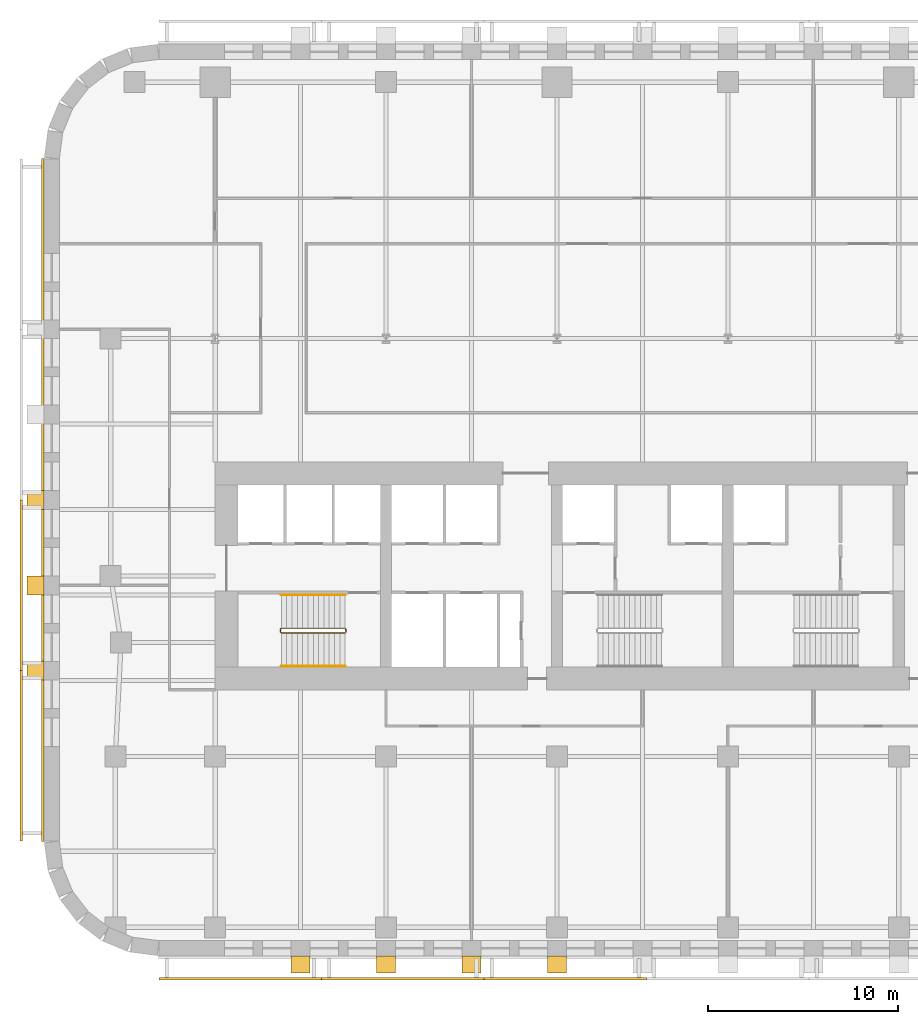
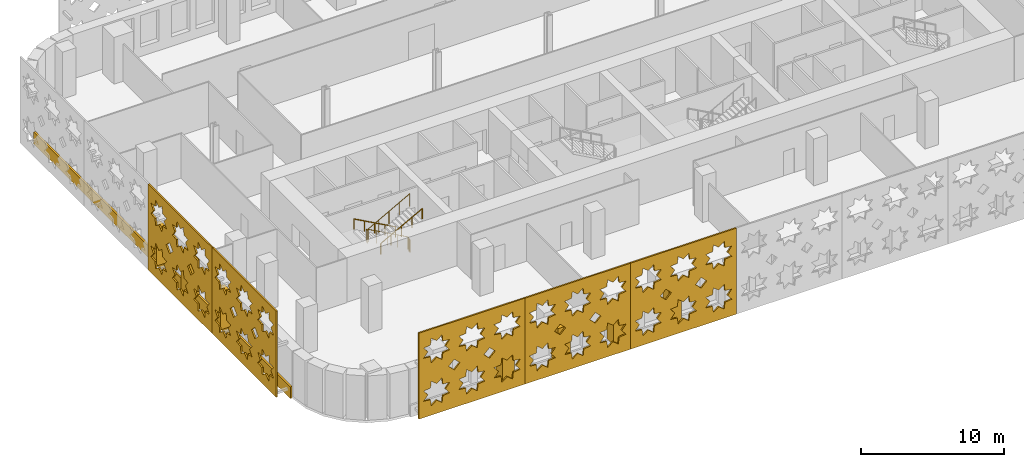
# One storey, part 11 of 15: 13 coverings, 3 railings.
"""IFC4 building model written with IfcOpenShell, lengths in metres."""

from ifc_helpers import new_model, si_unit, direction, frame, origin, origin_2d, place, context, subcontext, project, spatial, polyline, circle, outline, extrude, material, layer, layer_set, type_object, element, save


model = new_model("IFC4")

# Units and contexts
model_context = context("Model", 3, precision=1e-05, world=origin(), true_north=direction((0.0, 1.0)))
body_context = subcontext(model_context, "Body", "Model", "MODEL_VIEW")
ifc_project = project(units=[si_unit("LENGTHUNIT", "METRE"), si_unit("AREAUNIT", "SQUARE_METRE"), si_unit("VOLUMEUNIT", "CUBIC_METRE"), si_unit("PLANEANGLEUNIT", "RADIAN"), si_unit("MASSUNIT", "GRAM", prefix="KILO")], contexts=[model_context])

# Site, building, storey
site_placement = place(None, origin())
site = spatial("IfcSite", under=ifc_project, at=site_placement, CompositionType="ELEMENT")
building_placement = place(site_placement, origin())
building = spatial("IfcBuilding", under=site, at=building_placement, Name="Zellij Exchange Tower", CompositionType="ELEMENT")
storey_placement = place(building_placement, frame((0.0, 0.0, 92.5)))
storey = spatial("IfcBuildingStorey", under=building, at=storey_placement, Name="L19", CompositionType="ELEMENT", Elevation=92.5)

# Railings
ifc_material_1 = material(Name="Stainless steel", Category="steel")
railing_type_1 = type_object("IfcRailingType", Name="CORE-RG stair guard", PredefinedType="GUARDRAIL", material=ifc_material_1)
railing_1_placement = place(storey_placement, frame((-20.10009765625, -10.800048828125, 0.0)))
element("IfcRailing", 1, at=railing_1_placement, inside=storey, type_object=railing_type_1, Name="ST1 stair guard L19", PredefinedType="GUARDRAIL", context=body_context, shape_type="SweptSolid", body=[
    extrude(circle(Radius=0.02392578125, at=origin_2d()), frame((0.0, 0.0, 1.076171875), z_axis=(0.0, -1.0, 0.0), x_axis=(1.0, 0.0, 0.0)), (0.0, 0.0, 1.0), 0.14990234375),
    extrude(circle(Radius=0.02392578125, at=origin_2d()), frame((0.0, -0.14990234375, 1.076171875), z_axis=(-0.193691321961, 0.777613689637, 0.598164376644), x_axis=(-0.970351222016, -0.241699205484, 0.0)), (0.0, 0.0, 1.0), 0.257080078125),
    extrude(circle(Radius=0.02392578125, at=origin_2d()), frame((-0.0498046875, 0.050048828125, 1.22998046875), z_axis=(-0.876421534553, 0.0, 0.481544695509), x_axis=(0.0, -1.0, 0.0)), (0.0, 0.0, 1.0), 3.833984375),
    extrude(circle(Radius=0.02392578125, at=origin_2d()), frame((-3.409912109375, 0.050048828125, 3.076171875), z_axis=(-0.707106781187, -0.707106781187, 0.0), x_axis=(0.707106781187, -0.707106781187, 0.0)), (0.0, 0.0, 1.0), 0.07080078125),
    extrude(circle(Radius=0.02392578125, at=origin_2d()), frame((-3.4599609375, 0.0, 3.076171875), z_axis=(0.0, -1.0, 0.0), x_axis=(1.0, 0.0, 0.0)), (0.0, 0.0, 1.0), 0.14990234375),
    extrude(circle(Radius=0.02392578125, at=origin_2d()), frame((-3.4599609375, -0.14990234375, 3.076171875), z_axis=(0.295599637079, -0.295599637079, 0.908428152975), x_axis=(0.707106781187, 0.707106781187, 0.0)), (0.0, 0.0, 1.0), 0.16943359375),
    extrude(circle(Radius=0.02392578125, at=origin_2d()), frame((-3.409912109375, -0.199951171875, 3.22998046875), z_axis=(0.876421534553, 0.0, 0.481544695509), x_axis=(0.0, 1.0, 0.0)), (0.0, 0.0, 1.0), 3.833984375),
    extrude(circle(Radius=0.02099609375, at=origin_2d()), origin(), (0.0, 0.0, 1.0), 1.052001953125),
    extrude(circle(Radius=0.02099609375, at=origin_2d()), frame((0.0, -0.14990234375, 0.0)), (0.0, 0.0, 1.0), 1.052001953125),
    extrude(circle(Radius=0.02099609375, at=origin_2d()), frame((-0.0498046875, 0.050048828125, 0.15380859375)), (0.0, 0.0, 1.0), 1.052001953125),
    extrude(circle(Radius=0.02099609375, at=origin_2d()), frame((-0.889892578125, 0.050048828125, 0.615234375)), (0.0, 0.0, 1.0), 1.052001953125),
    extrude(circle(Radius=0.02099609375, at=origin_2d()), frame((-1.72998046875, 0.050048828125, 1.076904296875)), (0.0, 0.0, 1.0), 1.052001953125),
    extrude(circle(Radius=0.02099609375, at=origin_2d()), frame((-2.56982421875, 0.050048828125, 1.53857421875)), (0.0, 0.0, 1.0), 1.052001953125),
    extrude(circle(Radius=0.02099609375, at=origin_2d()), frame((-3.409912109375, 0.050048828125, 2.0)), (0.0, 0.0, 1.0), 1.052001953125),
    extrude(circle(Radius=0.02099609375, at=origin_2d()), frame((-3.4599609375, 0.0, 2.0)), (0.0, 0.0, 1.0), 1.052001953125),
    extrude(circle(Radius=0.02099609375, at=origin_2d()), frame((-3.4599609375, -0.14990234375, 2.0)), (0.0, 0.0, 1.0), 1.052001953125),
    extrude(circle(Radius=0.02099609375, at=origin_2d()), frame((-3.409912109375, -0.199951171875, 2.15380859375)), (0.0, 0.0, 1.0), 1.052001953125),
    extrude(circle(Radius=0.02099609375, at=origin_2d()), frame((-2.56982421875, -0.199951171875, 2.615234375)), (0.0, 0.0, 1.0), 1.052001953125),
    extrude(circle(Radius=0.02099609375, at=origin_2d()), frame((-1.72998046875, -0.199951171875, 3.076904296875)), (0.0, 0.0, 1.0), 1.052001953125),
    extrude(circle(Radius=0.02099609375, at=origin_2d()), frame((-0.889892578125, -0.199951171875, 3.53857421875)), (0.0, 0.0, 1.0), 1.052001953125),
    extrude(circle(Radius=0.02099609375, at=origin_2d()), frame((-0.0498046875, -0.199951171875, 4.0)), (0.0, 0.0, 1.0), 1.052001953125),
])
railing_type_2 = type_object("IfcRailingType", Name="CORE-RH stair handrail", PredefinedType="HANDRAIL", material=ifc_material_1)
railing_2_placement = place(storey_placement, frame((-20.14990234375, -9.0, 0.15380859375)))
element("IfcRailing", 2, at=railing_2_placement, inside=storey, type_object=railing_type_2, Name="ST1 stair handrail L19", PredefinedType="HANDRAIL", context=body_context, shape_type="SweptSolid", body=[
    extrude(circle(Radius=0.02392578125, at=origin_2d()), frame((0.0, 0.0, 0.8759765625), z_axis=(-0.876421534553, 0.0, 0.481544695509), x_axis=(0.0, -1.0, 0.0)), (0.0, 0.0, 1.0), 3.833984375),
    extrude(circle(Radius=0.02099609375, at=origin_2d()), origin(), (0.0, 0.0, 1.0), 0.851806640625),
    extrude(circle(Radius=0.02099609375, at=origin_2d()), frame((-0.840087890625, 0.0, 0.46142578125)), (0.0, 0.0, 1.0), 0.851806640625),
    extrude(circle(Radius=0.02099609375, at=origin_2d()), frame((-1.68017578125, 0.0, 0.923095703125)), (0.0, 0.0, 1.0), 0.851806640625),
    extrude(circle(Radius=0.02099609375, at=origin_2d()), frame((-2.52001953125, 0.0, 1.384765625)), (0.0, 0.0, 1.0), 0.851806640625),
    extrude(circle(Radius=0.02099609375, at=origin_2d()), frame((-3.360107421875, 0.0, 1.84619140625)), (0.0, 0.0, 1.0), 0.851806640625),
])
railing_3_placement = place(storey_placement, frame((-23.510009765625, -12.75, 2.15380859375)))
element("IfcRailing", 3, at=railing_3_placement, inside=storey, type_object=railing_type_2, Name="ST1 stair handrail L19", PredefinedType="HANDRAIL", context=body_context, shape_type="SweptSolid", body=[
    extrude(circle(Radius=0.02392578125, at=origin_2d()), frame((0.0, 0.0, 0.8759765625), z_axis=(0.876421534553, 0.0, 0.481544695509), x_axis=(0.0, 1.0, 0.0)), (0.0, 0.0, 1.0), 3.833984375),
    extrude(circle(Radius=0.02099609375, at=origin_2d()), origin(), (0.0, 0.0, 1.0), 0.851806640625),
    extrude(circle(Radius=0.02099609375, at=origin_2d()), frame((0.840087890625, 0.0, 0.46142578125)), (0.0, 0.0, 1.0), 0.851806640625),
    extrude(circle(Radius=0.02099609375, at=origin_2d()), frame((1.68017578125, 0.0, 0.923095703125)), (0.0, 0.0, 1.0), 0.851806640625),
    extrude(circle(Radius=0.02099609375, at=origin_2d()), frame((2.52001953125, 0.0, 1.384765625)), (0.0, 0.0, 1.0), 0.851806640625),
    extrude(circle(Radius=0.02099609375, at=origin_2d()), frame((3.360107421875, 0.0, 1.84619140625)), (0.0, 0.0, 1.0), 0.851806640625),
])

# Coverings
ifc_material_2 = material(Name="Limestone cladding", Category="masonry")
ifc_layer_1 = layer(ifc_material_2, 0.14990234375)
ifc_layer_set_1 = layer_set([ifc_layer_1], Name="Limestone cladding")
covering_type_1 = type_object("IfcCoveringType", Name="ENV-CV1 Stone spandrel band 150", PredefinedType="CLADDING", material=ifc_layer_set_1)
covering_1_placement = place(storey_placement, frame((0.0, 0.0, -0.199951171875)))
element("IfcCovering", 4, at=covering_1_placement, inside=storey, type_object=covering_type_1, Name="Stone spandrel band", PredefinedType="CLADDING", context=body_context, shape_type="SweptSolid", body=[
    extrude(outline(polyline([(-36.0, 13.973876953125), (-36.0, -21.973876953125), (-36.14990234375, -21.983642578125), (-36.14990234375, 13.983642578125), (-36.0, 13.973876953125)])), origin(), (0.0, 0.0, 1.0), 1.0),
])
covering_type_2 = type_object("IfcCoveringType", Name="ENV-CV2 Stone pier 1000x900", PredefinedType="CLADDING", material=ifc_material_2)
covering_2_placement = place(storey_placement, frame((0.0, 0.0, 0.800048828125)))
element("IfcCovering", 5, at=covering_2_placement, inside=storey, type_object=covering_type_2, Name="Stone pier", PredefinedType="CLADDING", context=body_context, shape_type="SweptSolid", body=[
    extrude(outline(polyline([(-23.0, -28.0), (-22.0, -28.0), (-22.0, -28.89990234375), (-23.0, -28.89990234375), (-23.0, -28.0)])), origin(), (0.0, 0.0, 1.0), 3.0),
])
covering_3_placement = place(storey_placement, frame((0.0, 0.0, 0.800048828125)))
element("IfcCovering", 6, at=covering_3_placement, inside=storey, type_object=covering_type_2, Name="Stone pier", PredefinedType="CLADDING", context=body_context, shape_type="SweptSolid", body=[
    extrude(outline(polyline([(-18.5, -28.0), (-17.5, -28.0), (-17.5, -28.89990234375), (-18.5, -28.89990234375), (-18.5, -28.0)])), origin(), (0.0, 0.0, 1.0), 3.0),
])
covering_4_placement = place(storey_placement, frame((0.0, 0.0, 0.800048828125)))
element("IfcCovering", 7, at=covering_4_placement, inside=storey, type_object=covering_type_2, Name="Stone pier", PredefinedType="CLADDING", context=body_context, shape_type="SweptSolid", body=[
    extrude(outline(polyline([(-14.0, -28.0), (-13.0, -28.0), (-13.0, -28.89990234375), (-14.0, -28.89990234375), (-14.0, -28.0)])), origin(), (0.0, 0.0, 1.0), 3.0),
])
covering_5_placement = place(storey_placement, frame((0.0, 0.0, 0.800048828125)))
element("IfcCovering", 8, at=covering_5_placement, inside=storey, type_object=covering_type_2, Name="Stone pier", PredefinedType="CLADDING", context=body_context, shape_type="SweptSolid", body=[
    extrude(outline(polyline([(-9.5, -28.0), (-8.5, -28.0), (-8.5, -28.89990234375), (-9.5, -28.89990234375), (-9.5, -28.0)])), origin(), (0.0, 0.0, 1.0), 3.0),
])
covering_6_placement = place(storey_placement, frame((0.0, 0.0, 0.800048828125)))
element("IfcCovering", 9, at=covering_6_placement, inside=storey, type_object=covering_type_2, Name="Stone pier", PredefinedType="CLADDING", context=body_context, shape_type="SweptSolid", body=[
    extrude(outline(polyline([(-36.0, -3.5), (-36.0, -4.5), (-36.89990234375, -4.5), (-36.89990234375, -3.5), (-36.0, -3.5)])), origin(), (0.0, 0.0, 1.0), 3.0),
])
covering_7_placement = place(storey_placement, frame((0.0, 0.0, 0.800048828125)))
element("IfcCovering", 10, at=covering_7_placement, inside=storey, type_object=covering_type_2, Name="Stone pier", PredefinedType="CLADDING", context=body_context, shape_type="SweptSolid", body=[
    extrude(outline(polyline([(-36.0, -7.993408203125), (-36.0, -8.993408203125), (-36.89990234375, -8.993408203125), (-36.89990234375, -7.993408203125), (-36.0, -7.993408203125)])), origin(), (0.0, 0.0, 1.0), 3.0),
])
covering_8_placement = place(storey_placement, frame((0.0, 0.0, 0.800048828125)))
element("IfcCovering", 11, at=covering_8_placement, inside=storey, type_object=covering_type_2, Name="Stone pier", PredefinedType="CLADDING", context=body_context, shape_type="SweptSolid", body=[
    extrude(outline(polyline([(-36.0, -12.48681640625), (-36.0, -13.48681640625), (-36.89990234375, -13.48681640625), (-36.89990234375, -12.48681640625), (-36.0, -12.48681640625)])), origin(), (0.0, 0.0, 1.0), 3.0),
])
ifc_material_3 = material(Name="Limestone screen", Category="masonry")
ifc_layer_2 = layer(ifc_material_3, 0.1201171875)
ifc_layer_set_2 = layer_set([ifc_layer_2], Name="Limestone screen")
covering_type_3 = type_object("IfcCoveringType", Name="ENV-SC1 Pierced stone screen 120", PredefinedType="USERDEFINED", material=ifc_layer_set_2)
covering_9_placement = place(storey_placement, frame((-37.2099609375, -4.0, 0.300048828125), z_axis=(0.0, 0.0, 1.0), x_axis=(0.0, -1.0, 0.0)))
element("IfcCovering", 12, at=covering_9_placement, inside=storey, type_object=covering_type_3, Name="Pierced stone screen", ObjectType="SCREEN", PredefinedType="USERDEFINED", context=body_context, shape_type="SweptSolid", body=[
    extrude(outline(polyline([(0.0, 0.0), (8.973876953125, 0.0), (8.973876953125, 7.35009765625), (0.0, 7.35009765625), (0.0, 0.0)]), holes=[polyline([(2.60107421875, 2.29541015625), (2.020263671875, 2.362060546875), (1.95361328125, 2.94287109375), (1.49560546875, 2.579345703125), (1.03759765625, 2.94287109375), (0.97119140625, 2.362060546875), (0.39013671875, 2.29541015625), (0.75390625, 1.83740234375), (0.39013671875, 1.379638671875), (0.97119140625, 1.31298828125), (1.03759765625, 0.732177734375), (1.49560546875, 1.095703125), (1.95361328125, 0.732177734375), (2.020263671875, 1.31298828125), (2.60107421875, 1.379638671875), (2.237548828125, 1.83740234375), (2.60107421875, 2.29541015625)]), polyline([(2.60107421875, 5.970458984375), (2.020263671875, 6.037109375), (1.95361328125, 6.617919921875), (1.49560546875, 6.25439453125), (1.03759765625, 6.617919921875), (0.97119140625, 6.037109375), (0.39013671875, 5.970458984375), (0.75390625, 5.512451171875), (0.39013671875, 5.0546875), (0.97119140625, 4.98779296875), (1.03759765625, 4.406982421875), (1.49560546875, 4.770751953125), (1.95361328125, 4.406982421875), (2.020263671875, 4.98779296875), (2.60107421875, 5.0546875), (2.237548828125, 5.512451171875), (2.60107421875, 5.970458984375)]), polyline([(5.59228515625, 2.29541015625), (5.011474609375, 2.362060546875), (4.94482421875, 2.94287109375), (4.48681640625, 2.579345703125), (4.029052734375, 2.94287109375), (3.96240234375, 2.362060546875), (3.381591796875, 2.29541015625), (3.7451171875, 1.83740234375), (3.381591796875, 1.379638671875), (3.96240234375, 1.31298828125), (4.029052734375, 0.732177734375), (4.48681640625, 1.095703125), (4.94482421875, 0.732177734375), (5.011474609375, 1.31298828125), (5.59228515625, 1.379638671875), (5.228759765625, 1.83740234375), (5.59228515625, 2.29541015625)]), polyline([(5.59228515625, 5.970458984375), (5.011474609375, 6.037109375), (4.94482421875, 6.617919921875), (4.48681640625, 6.25439453125), (4.029052734375, 6.617919921875), (3.96240234375, 6.037109375), (3.381591796875, 5.970458984375), (3.7451171875, 5.512451171875), (3.381591796875, 5.0546875), (3.96240234375, 4.98779296875), (4.029052734375, 4.406982421875), (4.48681640625, 4.770751953125), (4.94482421875, 4.406982421875), (5.011474609375, 4.98779296875), (5.59228515625, 5.0546875), (5.228759765625, 5.512451171875), (5.59228515625, 5.970458984375)]), polyline([(8.58349609375, 2.29541015625), (8.002685546875, 2.362060546875), (7.93603515625, 2.94287109375), (7.478271484375, 2.579345703125), (7.020263671875, 2.94287109375), (6.95361328125, 2.362060546875), (6.372802734375, 2.29541015625), (6.736328125, 1.83740234375), (6.372802734375, 1.379638671875), (6.95361328125, 1.31298828125), (7.020263671875, 0.732177734375), (7.478271484375, 1.095703125), (7.93603515625, 0.732177734375), (8.002685546875, 1.31298828125), (8.58349609375, 1.379638671875), (8.219970703125, 1.83740234375), (8.58349609375, 2.29541015625)]), polyline([(8.58349609375, 5.970458984375), (8.002685546875, 6.037109375), (7.93603515625, 6.617919921875), (7.478271484375, 6.25439453125), (7.020263671875, 6.617919921875), (6.95361328125, 6.037109375), (6.372802734375, 5.970458984375), (6.736328125, 5.512451171875), (6.372802734375, 5.0546875), (6.95361328125, 4.98779296875), (7.020263671875, 4.406982421875), (7.478271484375, 4.770751953125), (7.93603515625, 4.406982421875), (8.002685546875, 4.98779296875), (8.58349609375, 5.0546875), (8.219970703125, 5.512451171875), (8.58349609375, 5.970458984375)]), polyline([(3.469970703125, 3.675048828125), (2.9912109375, 4.153564453125), (2.5126953125, 3.675048828125), (2.9912109375, 3.1962890625), (3.469970703125, 3.675048828125)]), polyline([(6.461181640625, 3.675048828125), (5.982421875, 4.153564453125), (5.50390625, 3.675048828125), (5.982421875, 3.1962890625), (6.461181640625, 3.675048828125)])]), frame((0.0, 0.06005859375, 0.0), z_axis=(0.0, -1.0, 0.0), x_axis=(1.0, 0.0, 0.0)), (0.0, 0.0, 1.0), 0.1201171875),
])
covering_10_placement = place(storey_placement, frame((-37.2099609375, -12.973876953125, 0.300048828125), z_axis=(0.0, 0.0, 1.0), x_axis=(0.0, -1.0, 0.0)))
element("IfcCovering", 13, at=covering_10_placement, inside=storey, type_object=covering_type_3, Name="Pierced stone screen", ObjectType="SCREEN", PredefinedType="USERDEFINED", context=body_context, shape_type="SweptSolid", body=[
    extrude(outline(polyline([(0.0, 0.0), (8.973876953125, 0.0), (8.973876953125, 7.35009765625), (0.0, 7.35009765625), (0.0, 0.0)]), holes=[polyline([(2.60107421875, 2.29541015625), (2.020263671875, 2.362060546875), (1.95361328125, 2.94287109375), (1.49560546875, 2.579345703125), (1.03759765625, 2.94287109375), (0.97119140625, 2.362060546875), (0.39013671875, 2.29541015625), (0.75390625, 1.83740234375), (0.39013671875, 1.379638671875), (0.97119140625, 1.31298828125), (1.03759765625, 0.732177734375), (1.49560546875, 1.095703125), (1.95361328125, 0.732177734375), (2.020263671875, 1.31298828125), (2.60107421875, 1.379638671875), (2.237548828125, 1.83740234375), (2.60107421875, 2.29541015625)]), polyline([(2.60107421875, 5.970458984375), (2.020263671875, 6.037109375), (1.95361328125, 6.617919921875), (1.49560546875, 6.25439453125), (1.03759765625, 6.617919921875), (0.97119140625, 6.037109375), (0.39013671875, 5.970458984375), (0.75390625, 5.512451171875), (0.39013671875, 5.0546875), (0.97119140625, 4.98779296875), (1.03759765625, 4.406982421875), (1.49560546875, 4.770751953125), (1.95361328125, 4.406982421875), (2.020263671875, 4.98779296875), (2.60107421875, 5.0546875), (2.237548828125, 5.512451171875), (2.60107421875, 5.970458984375)]), polyline([(5.59228515625, 2.29541015625), (5.011474609375, 2.362060546875), (4.94482421875, 2.94287109375), (4.48681640625, 2.579345703125), (4.029052734375, 2.94287109375), (3.96240234375, 2.362060546875), (3.381591796875, 2.29541015625), (3.7451171875, 1.83740234375), (3.381591796875, 1.379638671875), (3.96240234375, 1.31298828125), (4.029052734375, 0.732177734375), (4.48681640625, 1.095703125), (4.94482421875, 0.732177734375), (5.011474609375, 1.31298828125), (5.59228515625, 1.379638671875), (5.228759765625, 1.83740234375), (5.59228515625, 2.29541015625)]), polyline([(5.59228515625, 5.970458984375), (5.011474609375, 6.037109375), (4.94482421875, 6.617919921875), (4.48681640625, 6.25439453125), (4.029052734375, 6.617919921875), (3.96240234375, 6.037109375), (3.381591796875, 5.970458984375), (3.7451171875, 5.512451171875), (3.381591796875, 5.0546875), (3.96240234375, 4.98779296875), (4.029052734375, 4.406982421875), (4.48681640625, 4.770751953125), (4.94482421875, 4.406982421875), (5.011474609375, 4.98779296875), (5.59228515625, 5.0546875), (5.228759765625, 5.512451171875), (5.59228515625, 5.970458984375)]), polyline([(8.58349609375, 2.29541015625), (8.002685546875, 2.362060546875), (7.93603515625, 2.94287109375), (7.478271484375, 2.579345703125), (7.020263671875, 2.94287109375), (6.95361328125, 2.362060546875), (6.372802734375, 2.29541015625), (6.736328125, 1.83740234375), (6.372802734375, 1.379638671875), (6.95361328125, 1.31298828125), (7.020263671875, 0.732177734375), (7.478271484375, 1.095703125), (7.93603515625, 0.732177734375), (8.002685546875, 1.31298828125), (8.58349609375, 1.379638671875), (8.219970703125, 1.83740234375), (8.58349609375, 2.29541015625)]), polyline([(8.58349609375, 5.970458984375), (8.002685546875, 6.037109375), (7.93603515625, 6.617919921875), (7.478271484375, 6.25439453125), (7.020263671875, 6.617919921875), (6.95361328125, 6.037109375), (6.372802734375, 5.970458984375), (6.736328125, 5.512451171875), (6.372802734375, 5.0546875), (6.95361328125, 4.98779296875), (7.020263671875, 4.406982421875), (7.478271484375, 4.770751953125), (7.93603515625, 4.406982421875), (8.002685546875, 4.98779296875), (8.58349609375, 5.0546875), (8.219970703125, 5.512451171875), (8.58349609375, 5.970458984375)]), polyline([(3.469970703125, 3.675048828125), (2.9912109375, 4.153564453125), (2.5126953125, 3.675048828125), (2.9912109375, 3.1962890625), (3.469970703125, 3.675048828125)]), polyline([(6.461181640625, 3.675048828125), (5.982421875, 4.153564453125), (5.50390625, 3.675048828125), (5.982421875, 3.1962890625), (6.461181640625, 3.675048828125)])]), frame((0.0, 0.06005859375, 0.0), z_axis=(0.0, -1.0, 0.0), x_axis=(1.0, 0.0, 0.0)), (0.0, 0.0, 1.0), 0.1201171875),
])
covering_11_placement = place(storey_placement, frame((-29.947509765625, -29.2099609375, 0.300048828125), z_axis=(0.0, 0.0, 1.0), x_axis=(1.0, 0.0, 0.0)))
element("IfcCovering", 14, at=covering_11_placement, inside=storey, type_object=covering_type_3, Name="Pierced stone screen", ObjectType="SCREEN", PredefinedType="USERDEFINED", context=body_context, shape_type="SweptSolid", body=[
    extrude(outline(polyline([(0.0, 0.0), (8.556396484375, 0.0), (8.556396484375, 7.35009765625), (0.0, 7.35009765625), (0.0, 0.0)]), holes=[polyline([(2.47998046875, 2.274169921875), (1.92626953125, 2.337646484375), (1.86279296875, 2.8916015625), (1.426025390625, 2.544921875), (0.989501953125, 2.8916015625), (0.92578125, 2.337646484375), (0.3720703125, 2.274169921875), (0.71875, 1.83740234375), (0.3720703125, 1.40087890625), (0.92578125, 1.33740234375), (0.989501953125, 0.783447265625), (1.426025390625, 1.130126953125), (1.86279296875, 0.783447265625), (1.92626953125, 1.33740234375), (2.47998046875, 1.40087890625), (2.13330078125, 1.83740234375), (2.47998046875, 2.274169921875)]), polyline([(2.47998046875, 5.94921875), (1.92626953125, 6.0126953125), (1.86279296875, 6.56640625), (1.426025390625, 6.2197265625), (0.989501953125, 6.56640625), (0.92578125, 6.0126953125), (0.3720703125, 5.94921875), (0.71875, 5.512451171875), (0.3720703125, 5.075927734375), (0.92578125, 5.01220703125), (0.989501953125, 4.45849609375), (1.426025390625, 4.80517578125), (1.86279296875, 4.45849609375), (1.92626953125, 5.01220703125), (2.47998046875, 5.075927734375), (2.13330078125, 5.512451171875), (2.47998046875, 5.94921875)]), polyline([(5.332275390625, 2.274169921875), (4.7783203125, 2.337646484375), (4.71484375, 2.8916015625), (4.2783203125, 2.544921875), (3.841552734375, 2.8916015625), (3.778076171875, 2.337646484375), (3.22412109375, 2.274169921875), (3.57080078125, 1.83740234375), (3.22412109375, 1.40087890625), (3.778076171875, 1.33740234375), (3.841552734375, 0.783447265625), (4.2783203125, 1.130126953125), (4.71484375, 0.783447265625), (4.7783203125, 1.33740234375), (5.332275390625, 1.40087890625), (4.985595703125, 1.83740234375), (5.332275390625, 2.274169921875)]), polyline([(5.332275390625, 5.94921875), (4.7783203125, 6.0126953125), (4.71484375, 6.56640625), (4.2783203125, 6.2197265625), (3.841552734375, 6.56640625), (3.778076171875, 6.0126953125), (3.22412109375, 5.94921875), (3.57080078125, 5.512451171875), (3.22412109375, 5.075927734375), (3.778076171875, 5.01220703125), (3.841552734375, 4.45849609375), (4.2783203125, 4.80517578125), (4.71484375, 4.45849609375), (4.7783203125, 5.01220703125), (5.332275390625, 5.075927734375), (4.985595703125, 5.512451171875), (5.332275390625, 5.94921875)]), polyline([(8.184326171875, 2.274169921875), (7.630615234375, 2.337646484375), (7.56689453125, 2.8916015625), (7.13037109375, 2.544921875), (6.69384765625, 2.8916015625), (6.630126953125, 2.337646484375), (6.076416015625, 2.274169921875), (6.423095703125, 1.83740234375), (6.076416015625, 1.40087890625), (6.630126953125, 1.33740234375), (6.69384765625, 0.783447265625), (7.13037109375, 1.130126953125), (7.56689453125, 0.783447265625), (7.630615234375, 1.33740234375), (8.184326171875, 1.40087890625), (7.837646484375, 1.83740234375), (8.184326171875, 2.274169921875)]), polyline([(8.184326171875, 5.94921875), (7.630615234375, 6.0126953125), (7.56689453125, 6.56640625), (7.13037109375, 6.2197265625), (6.69384765625, 6.56640625), (6.630126953125, 6.0126953125), (6.076416015625, 5.94921875), (6.423095703125, 5.512451171875), (6.076416015625, 5.075927734375), (6.630126953125, 5.01220703125), (6.69384765625, 4.45849609375), (7.13037109375, 4.80517578125), (7.56689453125, 4.45849609375), (7.630615234375, 5.01220703125), (8.184326171875, 5.075927734375), (7.837646484375, 5.512451171875), (8.184326171875, 5.94921875)]), polyline([(3.30859375, 3.675048828125), (2.852294921875, 4.13134765625), (2.395751953125, 3.675048828125), (2.852294921875, 3.21875), (3.30859375, 3.675048828125)]), polyline([(6.16064453125, 3.675048828125), (5.704345703125, 4.13134765625), (5.248046875, 3.675048828125), (5.704345703125, 3.21875), (6.16064453125, 3.675048828125)])]), frame((0.0, 0.06005859375, 0.0), z_axis=(0.0, -1.0, 0.0), x_axis=(1.0, 0.0, 0.0)), (0.0, 0.0, 1.0), 0.1201171875),
])
covering_12_placement = place(storey_placement, frame((-21.39111328125, -29.2099609375, 0.300048828125), z_axis=(0.0, 0.0, 1.0), x_axis=(1.0, 0.0, 0.0)))
element("IfcCovering", 15, at=covering_12_placement, inside=storey, type_object=covering_type_3, Name="Pierced stone screen", ObjectType="SCREEN", PredefinedType="USERDEFINED", context=body_context, shape_type="SweptSolid", body=[
    extrude(outline(polyline([(0.0, 0.0), (8.556396484375, 0.0), (8.556396484375, 7.35009765625), (0.0, 7.35009765625), (0.0, 0.0)]), holes=[polyline([(2.47998046875, 2.274169921875), (1.92626953125, 2.337646484375), (1.86279296875, 2.8916015625), (1.426025390625, 2.544921875), (0.989501953125, 2.8916015625), (0.92578125, 2.337646484375), (0.3720703125, 2.274169921875), (0.71875, 1.83740234375), (0.3720703125, 1.40087890625), (0.92578125, 1.33740234375), (0.989501953125, 0.783447265625), (1.426025390625, 1.130126953125), (1.86279296875, 0.783447265625), (1.92626953125, 1.33740234375), (2.47998046875, 1.40087890625), (2.13330078125, 1.83740234375), (2.47998046875, 2.274169921875)]), polyline([(2.47998046875, 5.94921875), (1.92626953125, 6.0126953125), (1.86279296875, 6.56640625), (1.426025390625, 6.2197265625), (0.989501953125, 6.56640625), (0.92578125, 6.0126953125), (0.3720703125, 5.94921875), (0.71875, 5.512451171875), (0.3720703125, 5.075927734375), (0.92578125, 5.01220703125), (0.989501953125, 4.45849609375), (1.426025390625, 4.80517578125), (1.86279296875, 4.45849609375), (1.92626953125, 5.01220703125), (2.47998046875, 5.075927734375), (2.13330078125, 5.512451171875), (2.47998046875, 5.94921875)]), polyline([(5.332275390625, 2.274169921875), (4.7783203125, 2.337646484375), (4.71484375, 2.8916015625), (4.2783203125, 2.544921875), (3.841552734375, 2.8916015625), (3.778076171875, 2.337646484375), (3.22412109375, 2.274169921875), (3.57080078125, 1.83740234375), (3.22412109375, 1.40087890625), (3.778076171875, 1.33740234375), (3.841552734375, 0.783447265625), (4.2783203125, 1.130126953125), (4.71484375, 0.783447265625), (4.7783203125, 1.33740234375), (5.332275390625, 1.40087890625), (4.985595703125, 1.83740234375), (5.332275390625, 2.274169921875)]), polyline([(5.332275390625, 5.94921875), (4.7783203125, 6.0126953125), (4.71484375, 6.56640625), (4.2783203125, 6.2197265625), (3.841552734375, 6.56640625), (3.778076171875, 6.0126953125), (3.22412109375, 5.94921875), (3.57080078125, 5.512451171875), (3.22412109375, 5.075927734375), (3.778076171875, 5.01220703125), (3.841552734375, 4.45849609375), (4.2783203125, 4.80517578125), (4.71484375, 4.45849609375), (4.7783203125, 5.01220703125), (5.332275390625, 5.075927734375), (4.985595703125, 5.512451171875), (5.332275390625, 5.94921875)]), polyline([(8.184326171875, 2.274169921875), (7.630615234375, 2.337646484375), (7.56689453125, 2.8916015625), (7.13037109375, 2.544921875), (6.69384765625, 2.8916015625), (6.630126953125, 2.337646484375), (6.076416015625, 2.274169921875), (6.423095703125, 1.83740234375), (6.076416015625, 1.40087890625), (6.630126953125, 1.33740234375), (6.69384765625, 0.783447265625), (7.13037109375, 1.130126953125), (7.56689453125, 0.783447265625), (7.630615234375, 1.33740234375), (8.184326171875, 1.40087890625), (7.837646484375, 1.83740234375), (8.184326171875, 2.274169921875)]), polyline([(8.184326171875, 5.94921875), (7.630615234375, 6.0126953125), (7.56689453125, 6.56640625), (7.13037109375, 6.2197265625), (6.69384765625, 6.56640625), (6.630126953125, 6.0126953125), (6.076416015625, 5.94921875), (6.423095703125, 5.512451171875), (6.076416015625, 5.075927734375), (6.630126953125, 5.01220703125), (6.69384765625, 4.45849609375), (7.13037109375, 4.80517578125), (7.56689453125, 4.45849609375), (7.630615234375, 5.01220703125), (8.184326171875, 5.075927734375), (7.837646484375, 5.512451171875), (8.184326171875, 5.94921875)]), polyline([(3.30859375, 3.675048828125), (2.852294921875, 4.13134765625), (2.395751953125, 3.675048828125), (2.852294921875, 3.21875), (3.30859375, 3.675048828125)]), polyline([(6.16064453125, 3.675048828125), (5.704345703125, 4.13134765625), (5.248046875, 3.675048828125), (5.704345703125, 3.21875), (6.16064453125, 3.675048828125)])]), frame((0.0, 0.06005859375, 0.0), z_axis=(0.0, -1.0, 0.0), x_axis=(1.0, 0.0, 0.0)), (0.0, 0.0, 1.0), 0.1201171875),
])
covering_13_placement = place(storey_placement, frame((-12.834716796875, -29.2099609375, 0.300048828125), z_axis=(0.0, 0.0, 1.0), x_axis=(1.0, 0.0, 0.0)))
element("IfcCovering", 16, at=covering_13_placement, inside=storey, type_object=covering_type_3, Name="Pierced stone screen", ObjectType="SCREEN", PredefinedType="USERDEFINED", context=body_context, shape_type="SweptSolid", body=[
    extrude(outline(polyline([(0.0, 0.0), (8.556396484375, 0.0), (8.556396484375, 7.35009765625), (0.0, 7.35009765625), (0.0, 0.0)]), holes=[polyline([(2.47998046875, 2.274169921875), (1.92626953125, 2.337646484375), (1.86279296875, 2.8916015625), (1.426025390625, 2.544921875), (0.989501953125, 2.8916015625), (0.92578125, 2.337646484375), (0.3720703125, 2.274169921875), (0.71875, 1.83740234375), (0.3720703125, 1.40087890625), (0.92578125, 1.33740234375), (0.989501953125, 0.783447265625), (1.426025390625, 1.130126953125), (1.86279296875, 0.783447265625), (1.92626953125, 1.33740234375), (2.47998046875, 1.40087890625), (2.13330078125, 1.83740234375), (2.47998046875, 2.274169921875)]), polyline([(2.47998046875, 5.94921875), (1.92626953125, 6.0126953125), (1.86279296875, 6.56640625), (1.426025390625, 6.2197265625), (0.989501953125, 6.56640625), (0.92578125, 6.0126953125), (0.3720703125, 5.94921875), (0.71875, 5.512451171875), (0.3720703125, 5.075927734375), (0.92578125, 5.01220703125), (0.989501953125, 4.45849609375), (1.426025390625, 4.80517578125), (1.86279296875, 4.45849609375), (1.92626953125, 5.01220703125), (2.47998046875, 5.075927734375), (2.13330078125, 5.512451171875), (2.47998046875, 5.94921875)]), polyline([(5.332275390625, 2.274169921875), (4.7783203125, 2.337646484375), (4.71484375, 2.8916015625), (4.2783203125, 2.544921875), (3.841552734375, 2.8916015625), (3.778076171875, 2.337646484375), (3.22412109375, 2.274169921875), (3.57080078125, 1.83740234375), (3.22412109375, 1.40087890625), (3.778076171875, 1.33740234375), (3.841552734375, 0.783447265625), (4.2783203125, 1.130126953125), (4.71484375, 0.783447265625), (4.7783203125, 1.33740234375), (5.332275390625, 1.40087890625), (4.985595703125, 1.83740234375), (5.332275390625, 2.274169921875)]), polyline([(5.332275390625, 5.94921875), (4.7783203125, 6.0126953125), (4.71484375, 6.56640625), (4.2783203125, 6.2197265625), (3.841552734375, 6.56640625), (3.778076171875, 6.0126953125), (3.22412109375, 5.94921875), (3.57080078125, 5.512451171875), (3.22412109375, 5.075927734375), (3.778076171875, 5.01220703125), (3.841552734375, 4.45849609375), (4.2783203125, 4.80517578125), (4.71484375, 4.45849609375), (4.7783203125, 5.01220703125), (5.332275390625, 5.075927734375), (4.985595703125, 5.512451171875), (5.332275390625, 5.94921875)]), polyline([(8.184326171875, 2.274169921875), (7.630615234375, 2.337646484375), (7.56689453125, 2.8916015625), (7.13037109375, 2.544921875), (6.69384765625, 2.8916015625), (6.630126953125, 2.337646484375), (6.076416015625, 2.274169921875), (6.423095703125, 1.83740234375), (6.076416015625, 1.40087890625), (6.630126953125, 1.33740234375), (6.69384765625, 0.783447265625), (7.13037109375, 1.130126953125), (7.56689453125, 0.783447265625), (7.630615234375, 1.33740234375), (8.184326171875, 1.40087890625), (7.837646484375, 1.83740234375), (8.184326171875, 2.274169921875)]), polyline([(8.184326171875, 5.94921875), (7.630615234375, 6.0126953125), (7.56689453125, 6.56640625), (7.13037109375, 6.2197265625), (6.69384765625, 6.56640625), (6.630126953125, 6.0126953125), (6.076416015625, 5.94921875), (6.423095703125, 5.512451171875), (6.076416015625, 5.075927734375), (6.630126953125, 5.01220703125), (6.69384765625, 4.45849609375), (7.13037109375, 4.80517578125), (7.56689453125, 4.45849609375), (7.630615234375, 5.01220703125), (8.184326171875, 5.075927734375), (7.837646484375, 5.512451171875), (8.184326171875, 5.94921875)]), polyline([(3.30859375, 3.675048828125), (2.852294921875, 4.13134765625), (2.395751953125, 3.675048828125), (2.852294921875, 3.21875), (3.30859375, 3.675048828125)]), polyline([(6.16064453125, 3.675048828125), (5.704345703125, 4.13134765625), (5.248046875, 3.675048828125), (5.704345703125, 3.21875), (6.16064453125, 3.675048828125)])]), frame((0.0, 0.06005859375, 0.0), z_axis=(0.0, -1.0, 0.0), x_axis=(1.0, 0.0, 0.0)), (0.0, 0.0, 1.0), 0.1201171875),
])

save(model, "model.ifc")
